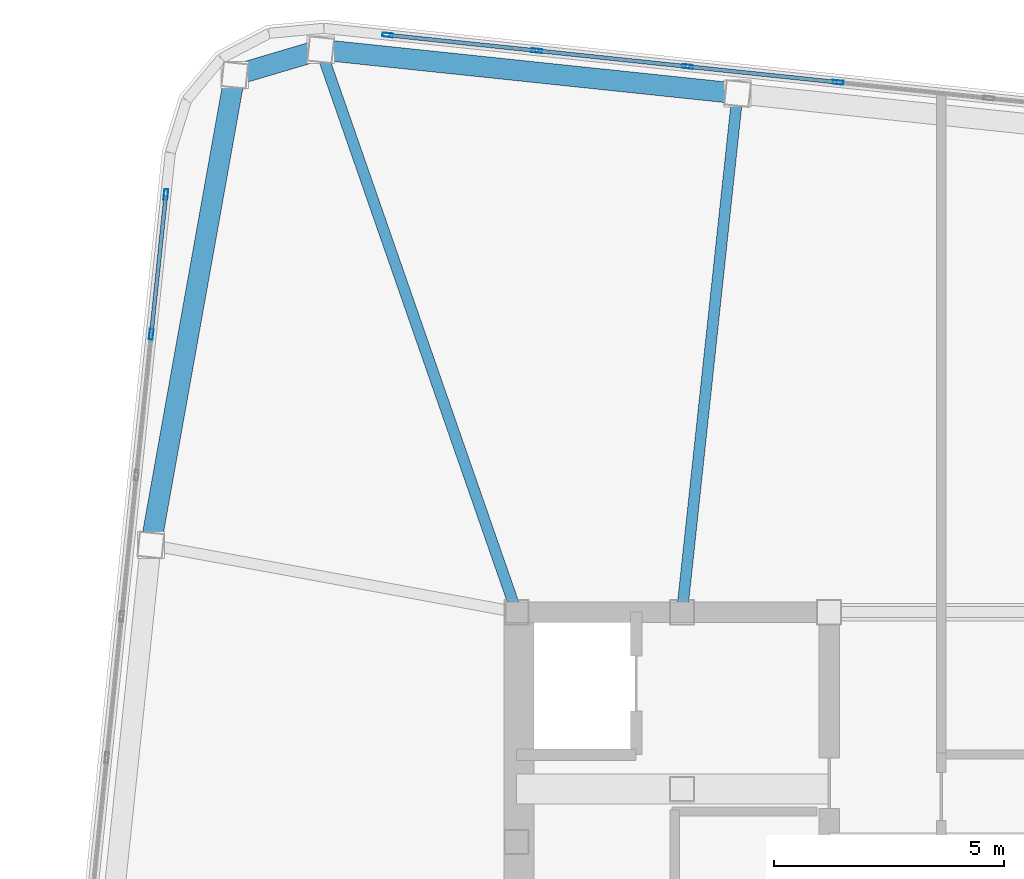
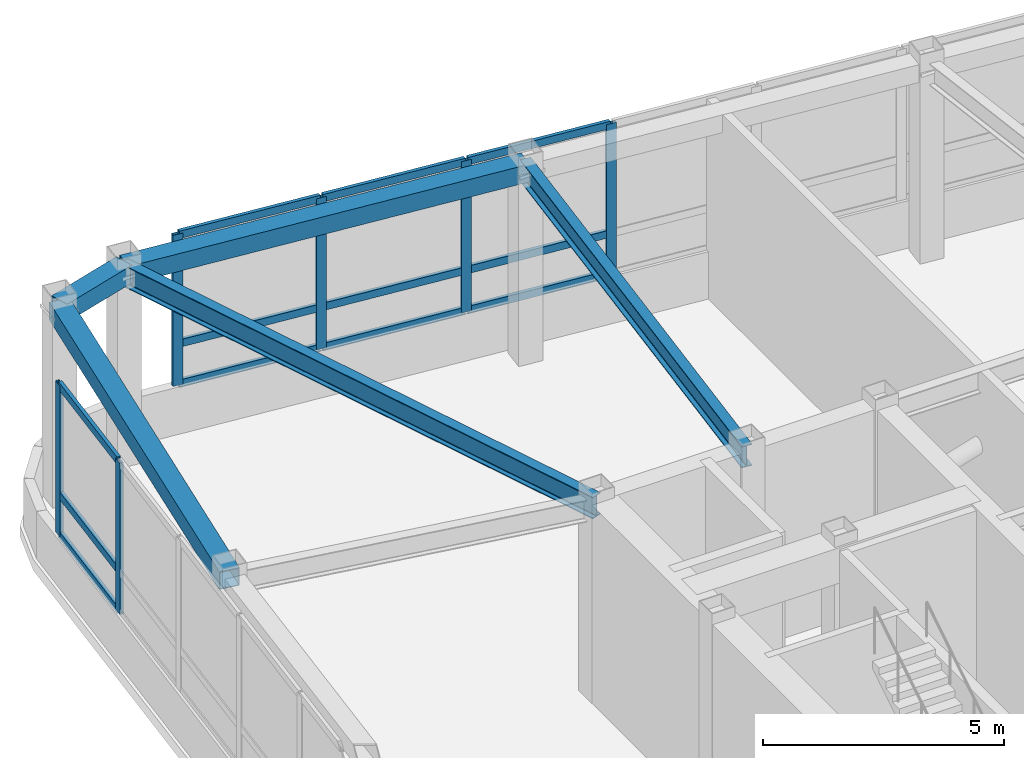
# One storey, part 14 of 23: 18 members, 5 beams, 2 elements without a shape of their own.
"""IFC4 building model written with IfcOpenShell, lengths in metres."""

from ifc_helpers import new_model, si_unit, direction, frame, origin, origin_2d, place, context, subcontext, project, spatial, hollow_rectangle, i_section, extrude, material, layer, layer_set, material_profile, profile_set, type_object, element, aggregate, save


model = new_model("IFC4")

# Units and contexts
model_context = context("Model", 3, precision=1e-05, world=origin(), true_north=direction((0.0, 1.0)))
body_context = subcontext(model_context, "Body", "Model", "MODEL_VIEW")
ifc_project = project(units=[si_unit("LENGTHUNIT", "METRE"), si_unit("AREAUNIT", "SQUARE_METRE"), si_unit("VOLUMEUNIT", "CUBIC_METRE"), si_unit("PLANEANGLEUNIT", "RADIAN"), si_unit("MASSUNIT", "GRAM", prefix="KILO")], contexts=[model_context])

# Site, building, storey
site_placement = place(None, origin())
site = spatial("IfcSite", under=ifc_project, at=site_placement, CompositionType="ELEMENT")
building_placement = place(site_placement, origin())
building = spatial("IfcBuilding", under=site, at=building_placement, Name="Voryun Gate Residences", CompositionType="ELEMENT")
storey_placement = place(building_placement, frame((0.0, 0.0, 321.300048828125)))
storey = spatial("IfcBuildingStorey", under=building, at=storey_placement, Name="L79", CompositionType="ELEMENT", Elevation=321.300048828125)

# Beams
ifc_material_1 = material(Name="Steel SM355", Category="steel")
ifc_material_profile_1 = material_profile(ifc_material_1, hollow_rectangle(XDim=0.449951171875, YDim=0.449951171875, WallThickness=0.01806640625, at=origin_2d()), Name="BOX-450x450x18")
ifc_profile_set_1 = profile_set([ifc_material_profile_1], Name="Steel SM355")
beam_type_1 = type_object("IfcBeamType", Name="BM_CROWN_RING", PredefinedType="BEAM", material=ifc_profile_set_1)
beam_1_placement = place(storey_placement, frame((-14.3916015625, 18.684814453125, 4.800048828125), z_axis=(-0.994520844313, 0.104538462908, 0.0), x_axis=(-0.104538462908, -0.994520844313, 0.0)))
element("IfcBeam", 1, at=beam_1_placement, inside=storey, type_object=beam_type_1, Name="BM-L79-SPAND-15", PredefinedType="BEAM", context=body_context, shape_type="SweptSolid", body=[
    extrude(hollow_rectangle(XDim=0.449951171875, YDim=0.449951171875, WallThickness=0.01806640625, at=origin_2d()), origin(), (0.0, 0.0, 1.0), 9.119873046875),
])
beam_2_placement = place(storey_placement, frame((-23.46142578125, 19.63818359375, 4.800048828125), z_axis=(-0.958835963288, -0.283960552728, 0.0), x_axis=(0.283960552728, -0.958835963288, 0.0)))
element("IfcBeam", 2, at=beam_2_placement, inside=storey, type_object=beam_type_1, Name="BM-L79-SPAND-16", PredefinedType="BEAM", context=body_context, shape_type="SweptSolid", body=[
    extrude(hollow_rectangle(XDim=0.449951171875, YDim=0.449951171875, WallThickness=0.01806640625, at=origin_2d()), origin(), (0.0, 0.0, 1.0), 1.95166015625),
])
beam_3_placement = place(storey_placement, frame((-25.332763671875, 19.083984375, 4.800048828125), z_axis=(-0.175791452213, -0.984427430199, 0.0), x_axis=(0.984427430199, -0.175791452213, 0.0)))
element("IfcBeam", 3, at=beam_3_placement, inside=storey, type_object=beam_type_1, Name="BM-L79-SPAND-17", PredefinedType="BEAM", context=body_context, shape_type="SweptSolid", body=[
    extrude(hollow_rectangle(XDim=0.449951171875, YDim=0.449951171875, WallThickness=0.01806640625, at=origin_2d()), origin(), (0.0, 0.0, 1.0), 10.384033203125),
])
ifc_material_2 = material(Name="Steel SM355", Category="steel")
ifc_material_profile_2 = material_profile(ifc_material_2, i_section(OverallWidth=0.239990234375, OverallDepth=0.550048828125, WebThickness=0.011962890625, FlangeThickness=0.02001953125, FilletRadius=0.01806640625, at=origin_2d()), Name="H-550x240x12x20")
ifc_profile_set_2 = profile_set([ifc_material_profile_2], Name="Steel SM355")
beam_type_2 = type_object("IfcBeamType", Name="BM_GIRD_550", PredefinedType="USERDEFINED", material=ifc_profile_set_2)
beam_4_placement = place(storey_placement, frame((-15.60009765625, 7.39990234375, 4.75), z_axis=(0.106480715232, 0.994314767709, 0.0), x_axis=(-0.994314767709, 0.106480715232, 0.0)))
element("IfcBeam", 4, at=beam_4_placement, inside=storey, type_object=beam_type_2, Name="BM-L79-RAD-N5", ObjectType="GIRDER", PredefinedType="USERDEFINED", context=body_context, shape_type="SweptSolid", body=[
    extrude(i_section(OverallWidth=0.239990234375, OverallDepth=0.550048828125, WebThickness=0.011962890625, FlangeThickness=0.02001953125, FilletRadius=0.01806640625, at=origin_2d()), origin(), (0.0, 0.0, 1.0), 11.349365234375),
])
beam_5_placement = place(storey_placement, frame((-19.199951171875, 7.39990234375, 4.75), z_axis=(-0.328842846436, 0.944384658043, 0.0), x_axis=(-0.944384658043, -0.328842846436, 0.0)))
element("IfcBeam", 5, at=beam_5_placement, inside=storey, type_object=beam_type_2, Name="BM-L79-RAD-N6", ObjectType="GIRDER", PredefinedType="USERDEFINED", context=body_context, shape_type="SweptSolid", body=[
    extrude(i_section(OverallWidth=0.239990234375, OverallDepth=0.550048828125, WebThickness=0.011962890625, FlangeThickness=0.02001953125, FilletRadius=0.01806640625, at=origin_2d()), origin(), (0.0, 0.0, 1.0), 12.958984375),
])

# Curtain wall, members
ifc_material_3 = material(Name="Anodised aluminium", Category="aluminium")
ifc_layer = layer(ifc_material_3, 0.22998046875, Name="CW_SYS_LANTERN_DARK_GLASS")
ifc_layer_set = layer_set([ifc_layer], Name="Anodised aluminium")
curtain_wall_type = type_object("IfcCurtainWallType", Name="CW_SYS_LANTERN_DARK_GLASS", PredefinedType="NOTDEFINED", material=ifc_layer_set)
curtain_wall_1_placement = place(storey_placement, origin())
curtain_wall_1 = element("IfcCurtainWall", 6, at=curtain_wall_1_placement, inside=storey, type_object=curtain_wall_type, Name="Curtain wall CW6-L79-06", PredefinedType="NOTDEFINED")
ifc_material_4 = material(Name="Anodised aluminium", Category="aluminium")
ifc_material_profile_3 = material_profile(ifc_material_4, hollow_rectangle(XDim=0.0849609375, YDim=0.22998046875, WallThickness=0.006103515625, at=origin_2d()), Name="ALU-MULL-230x85x6")
ifc_profile_set_3 = profile_set([ifc_material_profile_3], Name="Anodised aluminium")
member_type_1 = type_object("IfcMemberType", Name="CW_MULL_LANT", PredefinedType="MULLION", material=ifc_profile_set_3)
member_1_placement = place(storey_placement, frame((-27.14892578125, 13.447265625, 1.18994140625), z_axis=(0.0, 0.0, 1.0), x_axis=(-0.994521943608, 0.104528004296, 0.0)))
member_1 = element("IfcMember", 7, at=member_1_placement, type_object=member_type_1, Name="CW6 mullion 9", PredefinedType="MULLION", context=body_context, shape_type="SweptSolid", body=[
    extrude(hollow_rectangle(XDim=0.0849609375, YDim=0.22998046875, WallThickness=0.006103515625, at=origin_2d()), origin(), (0.0, 0.0, 1.0), 3.8349609375),
])
member_2_placement = place(storey_placement, frame((-26.829345703125, 16.48828125, 1.18994140625), z_axis=(0.0, 0.0, 1.0), x_axis=(-0.994521943608, 0.104528004296, 0.0)))
member_2 = element("IfcMember", 8, at=member_2_placement, type_object=member_type_1, Name="CW6 mullion 10", PredefinedType="MULLION", context=body_context, shape_type="SweptSolid", body=[
    extrude(hollow_rectangle(XDim=0.0849609375, YDim=0.22998046875, WallThickness=0.006103515625, at=origin_2d()), origin(), (0.0, 0.0, 1.0), 3.8349609375),
])

curtain_wall_2_placement = place(storey_placement, origin())
curtain_wall_2 = element("IfcCurtainWall", 9, at=curtain_wall_2_placement, inside=storey, type_object=curtain_wall_type, Name="Curtain wall CW6-L79-11", PredefinedType="NOTDEFINED")
member_3_placement = place(storey_placement, frame((-22.005615234375, 19.957763671875, 1.18994140625), z_axis=(0.0, 0.0, 1.0), x_axis=(0.10452775858, 0.994521969434, 0.0)))
member_3 = element("IfcMember", 10, at=member_3_placement, type_object=member_type_1, Name="CW6 mullion 1", PredefinedType="MULLION", context=body_context, shape_type="SweptSolid", body=[
    extrude(hollow_rectangle(XDim=0.0849609375, YDim=0.22998046875, WallThickness=0.006103515625, at=origin_2d()), origin(), (0.0, 0.0, 1.0), 3.8349609375),
])
member_4_placement = place(storey_placement, frame((-18.7587890625, 19.616455078125, 1.18994140625), z_axis=(0.0, 0.0, 1.0), x_axis=(0.10452775858, 0.994521969434, 0.0)))
member_4 = element("IfcMember", 11, at=member_4_placement, type_object=member_type_1, Name="CW6 mullion 2", PredefinedType="MULLION", context=body_context, shape_type="SweptSolid", body=[
    extrude(hollow_rectangle(XDim=0.0849609375, YDim=0.22998046875, WallThickness=0.006103515625, at=origin_2d()), origin(), (0.0, 0.0, 1.0), 3.8349609375),
])
member_5_placement = place(storey_placement, frame((-15.482177734375, 19.272216796875, 1.18994140625), z_axis=(0.0, 0.0, 1.0), x_axis=(0.10452775858, 0.994521969434, 0.0)))
member_5 = element("IfcMember", 12, at=member_5_placement, type_object=member_type_1, Name="CW6 mullion 3", PredefinedType="MULLION", context=body_context, shape_type="SweptSolid", body=[
    extrude(hollow_rectangle(XDim=0.0849609375, YDim=0.22998046875, WallThickness=0.006103515625, at=origin_2d()), origin(), (0.0, 0.0, 1.0), 3.8349609375),
])
member_6_placement = place(storey_placement, frame((-12.20556640625, 18.927734375, 1.18994140625), z_axis=(0.0, 0.0, 1.0), x_axis=(0.10452775858, 0.994521969434, 0.0)))
member_6 = element("IfcMember", 13, at=member_6_placement, type_object=member_type_1, Name="CW6 mullion 4", PredefinedType="MULLION", context=body_context, shape_type="SweptSolid", body=[
    extrude(hollow_rectangle(XDim=0.0849609375, YDim=0.22998046875, WallThickness=0.006103515625, at=origin_2d()), origin(), (0.0, 0.0, 1.0), 3.8349609375),
])

# Member
ifc_material_5 = material(Name="Anodised aluminium", Category="aluminium")
ifc_material_profile_4 = material_profile(ifc_material_5, hollow_rectangle(XDim=0.0849609375, YDim=0.18994140625, WallThickness=0.006103515625, at=origin_2d()), Name="ALU-TRAN-190x85x6")
ifc_profile_set_4 = profile_set([ifc_material_profile_4], Name="Anodised aluminium")
member_type_2 = type_object("IfcMemberType", Name="CW_TRAN_LANT", PredefinedType="USERDEFINED", material=ifc_profile_set_4)
member_7_placement = place(storey_placement, frame((-27.145751953125, 13.47705078125, 1.219970703125), z_axis=(0.104566085446, 0.994517940398, 0.0), x_axis=(-0.994517940398, 0.104566085446, 0.0)))
member_7 = element("IfcMember", 14, at=member_7_placement, type_object=member_type_2, Name="CW6 transom 9.1", ObjectType="TRANSOM", PredefinedType="USERDEFINED", context=body_context, shape_type="SweptSolid", body=[
    extrude(hollow_rectangle(XDim=0.0849609375, YDim=0.18994140625, WallThickness=0.006103515625, at=origin_2d()), origin(), (0.0, 0.0, 1.0), 2.997802734375),
])

member_8_placement = place(storey_placement, frame((-27.145751953125, 13.47705078125, 2.239990234375), z_axis=(0.104566085446, 0.994517940398, 0.0), x_axis=(-0.994517940398, 0.104566085446, 0.0)))
member_8 = element("IfcMember", 15, at=member_8_placement, type_object=member_type_2, Name="CW6 transom 9.2", ObjectType="TRANSOM", PredefinedType="USERDEFINED", context=body_context, shape_type="SweptSolid", body=[
    extrude(hollow_rectangle(XDim=0.0849609375, YDim=0.18994140625, WallThickness=0.006103515625, at=origin_2d()), origin(), (0.0, 0.0, 1.0), 2.997802734375),
])

member_9_placement = place(storey_placement, frame((-27.145751953125, 13.47705078125, 4.994873046875), z_axis=(0.104566085446, 0.994517940398, 0.0), x_axis=(-0.994517940398, 0.104566085446, 0.0)))
member_9 = element("IfcMember", 16, at=member_9_placement, type_object=member_type_2, Name="CW6 transom 9.3", ObjectType="TRANSOM", PredefinedType="USERDEFINED", context=body_context, shape_type="SweptSolid", body=[
    extrude(hollow_rectangle(XDim=0.0849609375, YDim=0.18994140625, WallThickness=0.006103515625, at=origin_2d()), origin(), (0.0, 0.0, 1.0), 2.997802734375),
])

aggregate(curtain_wall_1, [member_1, member_2, member_7, member_8, member_9])

member_10_placement = place(storey_placement, frame((-21.975830078125, 19.95458984375, 1.219970703125), z_axis=(0.994522970689, -0.104518231772, 0.0), x_axis=(0.104518231772, 0.994522970689, 0.0)))
member_10 = element("IfcMember", 17, at=member_10_placement, type_object=member_type_2, Name="CW6 transom 1.1", ObjectType="TRANSOM", PredefinedType="USERDEFINED", context=body_context, shape_type="SweptSolid", body=[
    extrude(hollow_rectangle(XDim=0.0849609375, YDim=0.18994140625, WallThickness=0.006103515625, at=origin_2d()), origin(), (0.0, 0.0, 1.0), 3.204833984375),
])

member_11_placement = place(storey_placement, frame((-21.975830078125, 19.95458984375, 2.239990234375), z_axis=(0.994522970689, -0.104518231772, 0.0), x_axis=(0.104518231772, 0.994522970689, 0.0)))
member_11 = element("IfcMember", 18, at=member_11_placement, type_object=member_type_2, Name="CW6 transom 1.2", ObjectType="TRANSOM", PredefinedType="USERDEFINED", context=body_context, shape_type="SweptSolid", body=[
    extrude(hollow_rectangle(XDim=0.0849609375, YDim=0.18994140625, WallThickness=0.006103515625, at=origin_2d()), origin(), (0.0, 0.0, 1.0), 3.204833984375),
])

member_12_placement = place(storey_placement, frame((-21.975830078125, 19.95458984375, 4.994873046875), z_axis=(0.994522970689, -0.104518231772, 0.0), x_axis=(0.104518231772, 0.994522970689, 0.0)))
member_12 = element("IfcMember", 19, at=member_12_placement, type_object=member_type_2, Name="CW6 transom 1.3", ObjectType="TRANSOM", PredefinedType="USERDEFINED", context=body_context, shape_type="SweptSolid", body=[
    extrude(hollow_rectangle(XDim=0.0849609375, YDim=0.18994140625, WallThickness=0.006103515625, at=origin_2d()), origin(), (0.0, 0.0, 1.0), 3.204833984375),
])

member_13_placement = place(storey_placement, frame((-18.72900390625, 19.61328125, 1.219970703125), z_axis=(0.994521569819, -0.104531560613, 0.0), x_axis=(0.104531560613, 0.994521569819, 0.0)))
member_13 = element("IfcMember", 20, at=member_13_placement, type_object=member_type_2, Name="CW6 transom 2.1", ObjectType="TRANSOM", PredefinedType="USERDEFINED", context=body_context, shape_type="SweptSolid", body=[
    extrude(hollow_rectangle(XDim=0.0849609375, YDim=0.18994140625, WallThickness=0.006103515625, at=origin_2d()), origin(), (0.0, 0.0, 1.0), 3.23486328125),
])

member_14_placement = place(storey_placement, frame((-18.72900390625, 19.61328125, 2.239990234375), z_axis=(0.994521569819, -0.104531560613, 0.0), x_axis=(0.104531560613, 0.994521569819, 0.0)))
member_14 = element("IfcMember", 21, at=member_14_placement, type_object=member_type_2, Name="CW6 transom 2.2", ObjectType="TRANSOM", PredefinedType="USERDEFINED", context=body_context, shape_type="SweptSolid", body=[
    extrude(hollow_rectangle(XDim=0.0849609375, YDim=0.18994140625, WallThickness=0.006103515625, at=origin_2d()), origin(), (0.0, 0.0, 1.0), 3.23486328125),
])

member_15_placement = place(storey_placement, frame((-18.72900390625, 19.61328125, 4.994873046875), z_axis=(0.994521569819, -0.104531560613, 0.0), x_axis=(0.104531560613, 0.994521569819, 0.0)))
member_15 = element("IfcMember", 22, at=member_15_placement, type_object=member_type_2, Name="CW6 transom 2.3", ObjectType="TRANSOM", PredefinedType="USERDEFINED", context=body_context, shape_type="SweptSolid", body=[
    extrude(hollow_rectangle(XDim=0.0849609375, YDim=0.18994140625, WallThickness=0.006103515625, at=origin_2d()), origin(), (0.0, 0.0, 1.0), 3.23486328125),
])

member_16_placement = place(storey_placement, frame((-15.452392578125, 19.26904296875, 1.219970703125), z_axis=(0.994521569819, -0.104531560613, 0.0), x_axis=(0.104531560613, 0.994521569819, 0.0)))
member_16 = element("IfcMember", 23, at=member_16_placement, type_object=member_type_2, Name="CW6 transom 3.1", ObjectType="TRANSOM", PredefinedType="USERDEFINED", context=body_context, shape_type="SweptSolid", body=[
    extrude(hollow_rectangle(XDim=0.0849609375, YDim=0.18994140625, WallThickness=0.006103515625, at=origin_2d()), origin(), (0.0, 0.0, 1.0), 3.23486328125),
])

member_17_placement = place(storey_placement, frame((-15.452392578125, 19.26904296875, 2.239990234375), z_axis=(0.994521569819, -0.104531560613, 0.0), x_axis=(0.104531560613, 0.994521569819, 0.0)))
member_17 = element("IfcMember", 24, at=member_17_placement, type_object=member_type_2, Name="CW6 transom 3.2", ObjectType="TRANSOM", PredefinedType="USERDEFINED", context=body_context, shape_type="SweptSolid", body=[
    extrude(hollow_rectangle(XDim=0.0849609375, YDim=0.18994140625, WallThickness=0.006103515625, at=origin_2d()), origin(), (0.0, 0.0, 1.0), 3.23486328125),
])

member_18_placement = place(storey_placement, frame((-15.452392578125, 19.26904296875, 4.994873046875), z_axis=(0.994521569819, -0.104531560613, 0.0), x_axis=(0.104531560613, 0.994521569819, 0.0)))
member_18 = element("IfcMember", 25, at=member_18_placement, type_object=member_type_2, Name="CW6 transom 3.3", ObjectType="TRANSOM", PredefinedType="USERDEFINED", context=body_context, shape_type="SweptSolid", body=[
    extrude(hollow_rectangle(XDim=0.0849609375, YDim=0.18994140625, WallThickness=0.006103515625, at=origin_2d()), origin(), (0.0, 0.0, 1.0), 3.23486328125),
])

aggregate(curtain_wall_2, [member_3, member_4, member_5, member_6, member_10, member_11, member_12, member_13, member_14, member_15, member_16, member_17, member_18])

save(model, "model.ifc")
